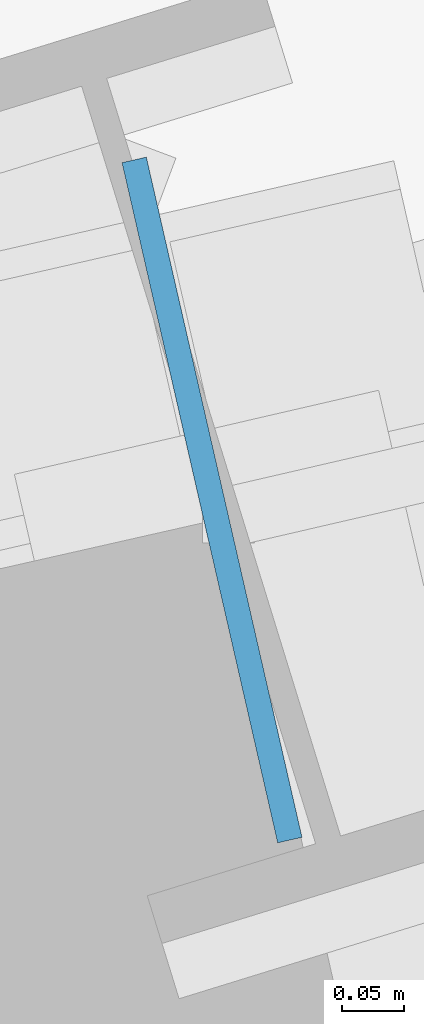
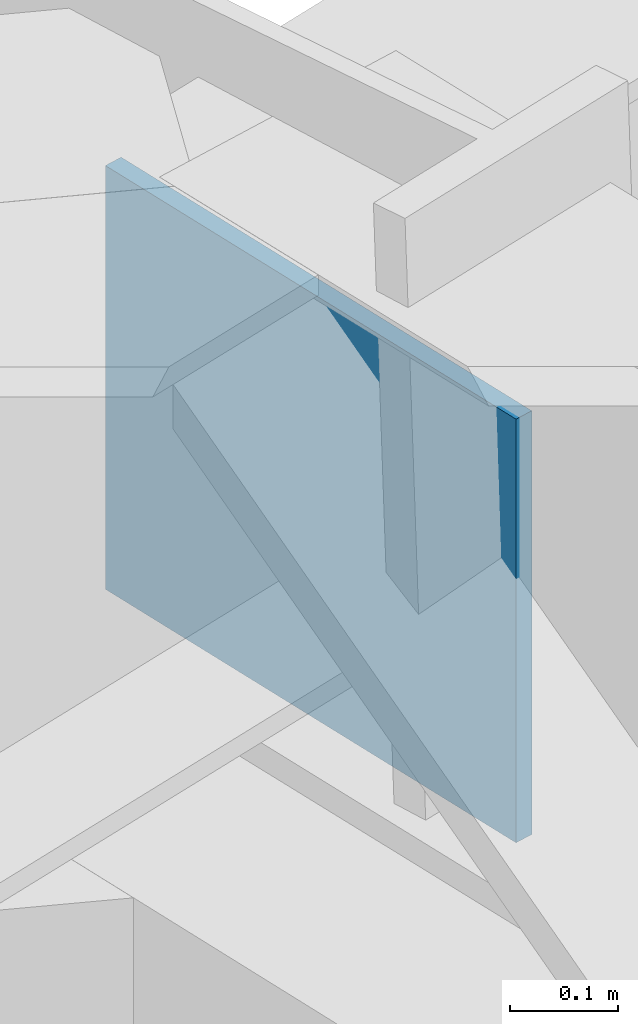
# One storey, part 13 of 22: 1 plate.
"""IFC4 building model written with IfcOpenShell, lengths in metres."""

from ifc_helpers import new_model, si_unit, direction, frame, origin, origin_2d, place, context, subcontext, project, spatial, rectangle, extrude, source, transform, mapped, material, type_object, element, save


model = new_model("IFC4")

# Units and contexts
model_context = context("Model", 3, precision=1e-05, world=origin(), true_north=direction((0.0, 1.0)))
body_context = subcontext(model_context, "Body", "Model", "MODEL_VIEW")
ifc_project = project(units=[si_unit("LENGTHUNIT", "METRE"), si_unit("AREAUNIT", "SQUARE_METRE"), si_unit("VOLUMEUNIT", "CUBIC_METRE"), si_unit("PLANEANGLEUNIT", "RADIAN"), si_unit("MASSUNIT", "GRAM", prefix="KILO")], contexts=[model_context])

# Site, building, storey
site_placement = place(None, origin())
site = spatial("IfcSite", under=ifc_project, at=site_placement, CompositionType="ELEMENT")
building_placement = place(site_placement, origin())
building = spatial("IfcBuilding", under=site, at=building_placement, Name="Olszyna Solenne Hotel", CompositionType="ELEMENT")
storey_placement = place(building_placement, frame((0.0, 0.0, 87.949951171875)))
storey = spatial("IfcBuildingStorey", under=building, at=storey_placement, Name="L22", CompositionType="ELEMENT", Elevation=87.949951171875)

# Plate
ifc_material = material(Name="Steel S355J2", Category="steel")
plate_type = type_object("IfcPlateType", Name="GP-ND2", PredefinedType="USERDEFINED", material=ifc_material)
shared_shape = source(origin(), body_context, "Body", "SweptSolid", [
    extrude(rectangle(XDim=0.56005859375, YDim=0.02001953125, at=origin_2d()), origin(), (0.0, 0.0, 1.0), 0.47998046875),
])
plate_placement = place(storey_placement, frame((67.02001953125, 35.51171875, 2.651123046875), z_axis=(0.0, 0.0, 1.0), x_axis=(-0.223079984689, 0.97480014384, 0.0)))
element("IfcPlate", 1, at=plate_placement, inside=storey, type_object=plate_type, Name="Brace end connection gusset plate GP-ND2 EP-BR-L22-1-2", ObjectType="GUSSET_PLATE", PredefinedType="USERDEFINED", context=body_context, shape_type="MappedRepresentation", body=[
    mapped(shared_shape, transform((0.0, 0.0, 0.0), x_axis=(1.0, 0.0, 0.0), y_axis=(0.0, 1.0, 0.0), z_axis=(0.0, 0.0, 1.0), scale=1.0)),
])

save(model, "model.ifc")
